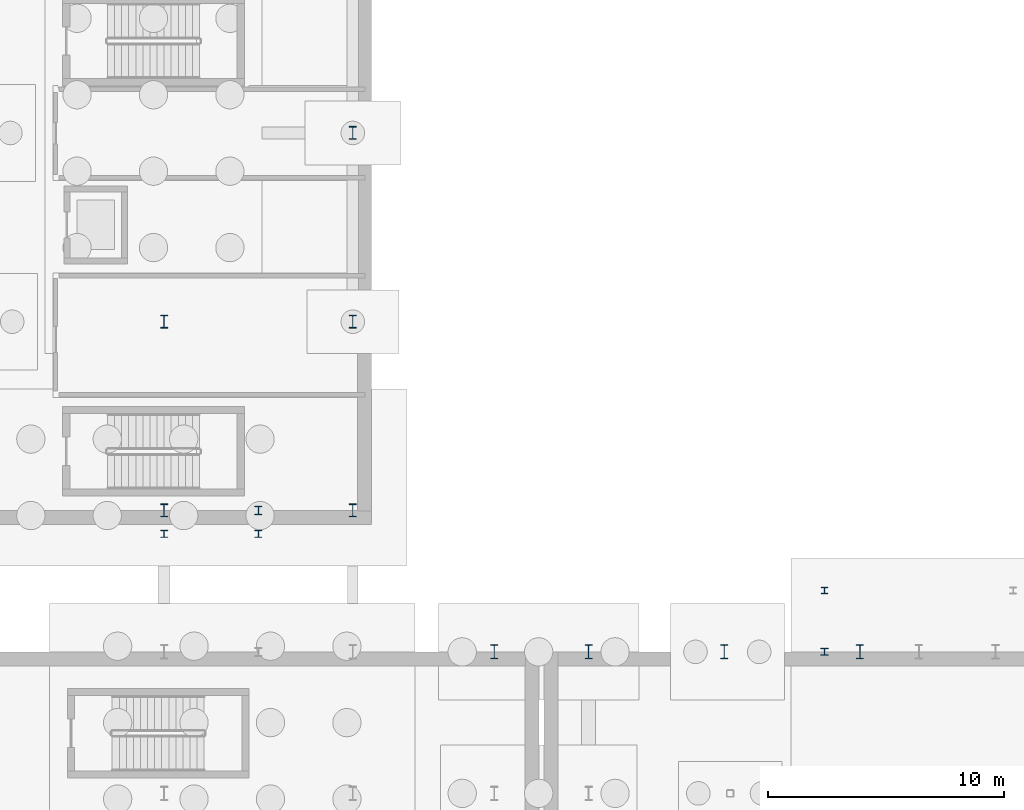
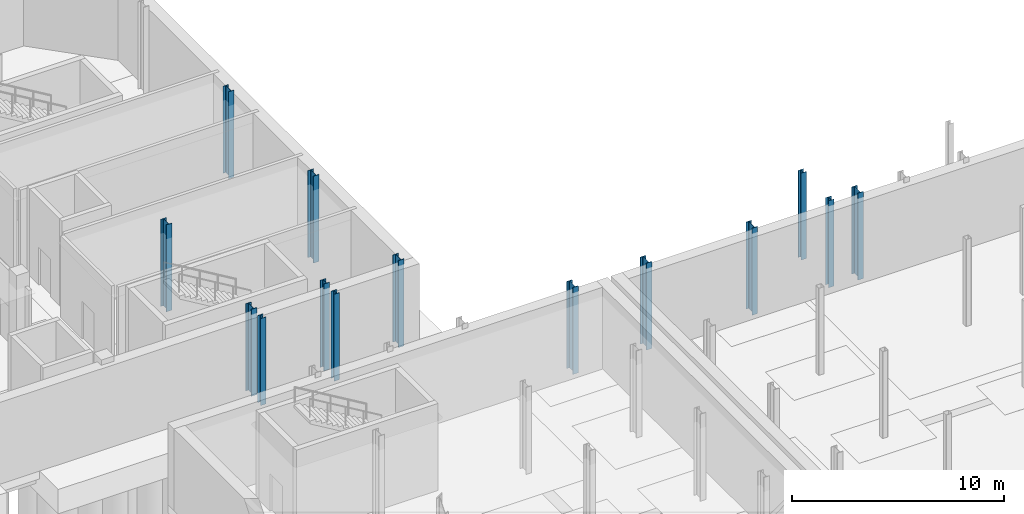
# One storey, part 9 of 47: 14 columns.
"""IFC4 building model written with IfcOpenShell, lengths in metres."""

from ifc_helpers import new_model, si_unit, direction, frame, origin, origin_2d, place, context, subcontext, project, spatial, i_section, extrude, material, material_profile, profile_set, type_object, element, save


model = new_model("IFC4")

# Units and contexts
model_context = context("Model", 3, precision=1e-05, world=origin(), true_north=direction((0.0, 1.0)))
body_context = subcontext(model_context, "Body", "Model", "MODEL_VIEW")
ifc_project = project(units=[si_unit("LENGTHUNIT", "METRE"), si_unit("AREAUNIT", "SQUARE_METRE"), si_unit("VOLUMEUNIT", "CUBIC_METRE"), si_unit("PLANEANGLEUNIT", "RADIAN"), si_unit("MASSUNIT", "GRAM", prefix="KILO")], contexts=[model_context])

# Site, building, storey
site_placement = place(None, origin())
site = spatial("IfcSite", under=ifc_project, at=site_placement, CompositionType="ELEMENT")
building_placement = place(site_placement, origin())
building = spatial("IfcBuilding", under=site, at=building_placement, Name="Cymarion Research Institute", CompositionType="ELEMENT")
storey_placement = place(building_placement, frame((0.0, 0.0, -5.0)))
storey = spatial("IfcBuildingStorey", under=building, at=storey_placement, Name="B1", CompositionType="ELEMENT", Elevation=-5.0)

# Columns
ifc_material = material(Name="Steel S355", Category="steel")
ifc_material_profile_1 = material_profile(ifc_material, i_section(OverallWidth=0.300048828125, OverallDepth=0.60009765625, WebThickness=0.015380859375, FlangeThickness=0.030029296875, FilletRadius=0.027099609375, at=origin_2d()), Name="HEB 600")
ifc_profile_set_1 = profile_set([ifc_material_profile_1], Name="Steel S355")
column_type_1 = type_object("IfcColumnType", Name="STRUCTURAL COLUMN C02 HEB 600", PredefinedType="COLUMN", material=ifc_profile_set_1)
for number, where, z_axis, x_axis, name in (
    (1, (52.60009765625, 41.5, 0.0), (0.0, 0.0, 1.0), (1.0, 0.0, 0.0), "B1 V3 column C02 #115"),
    (2, (56.60009765625, 41.5, 0.0), (0.0, 0.0, 1.0), (1.0, 0.0, 0.0), "B1 V2 column C02 #122"),
    (3, (62.35009765625, 41.5, 0.0), (0.0, 0.0, 1.0), (1.0, 0.0, 0.0), "B1 V2 column C02 #124"),
    (4, (68.10009765625, 41.5, 0.0), (0.0, 0.0, 1.0), (1.0, 0.0, 0.0), "B1 V2 column C02 #134"),
):
    element("IfcColumn", number, at=place(storey_placement, frame(where, z_axis=z_axis, x_axis=x_axis)), inside=storey, type_object=column_type_1, Name=name, PredefinedType="COLUMN", context=body_context, shape_type="SweptSolid", body=[
        extrude(i_section(OverallWidth=0.300048828125, OverallDepth=0.60009765625, WebThickness=0.015380859375, FlangeThickness=0.030029296875, FilletRadius=0.027099609375, at=origin_2d()), origin(), (0.0, 0.0, 1.0), 5.0),
    ])
ifc_material_profile_2 = material_profile(ifc_material, i_section(OverallWidth=0.300048828125, OverallDepth=0.550048828125, WebThickness=0.014892578125, FlangeThickness=0.029052734375, FilletRadius=0.027099609375, at=origin_2d()), Name="HEB 550")
ifc_profile_set_2 = profile_set([ifc_material_profile_2], Name="Steel S355")
column_type_2 = type_object("IfcColumnType", Name="STRUCTURAL COLUMN C03 HEB 550", PredefinedType="COLUMN", material=ifc_profile_set_2)
for number, where, z_axis, x_axis, name in (
    (5, (38.60009765625, 47.5, 0.0), (0.0, 0.0, 1.0), (1.0, 0.0, 0.0), "B1 V4 column C03 #79"),
    (6, (38.60009765625, 55.5, 0.0), (0.0, 0.0, 1.0), (1.0, 0.0, 0.0), "B1 V4 column C03 #80"),
    (7, (46.60009765625, 47.5, 0.0), (0.0, 0.0, 1.0), (1.0, 0.0, 0.0), "B1 V4 column C03 #100"),
    (8, (46.60009765625, 55.5, 0.0), (0.0, 0.0, 1.0), (1.0, 0.0, 0.0), "B1 V4 column C03 #101"),
    (9, (46.60009765625, 63.5, 0.0), (0.0, 0.0, 1.0), (1.0, 0.0, 0.0), "B1 V4 column C03 #102"),
):
    element("IfcColumn", number, at=place(storey_placement, frame(where, z_axis=z_axis, x_axis=x_axis)), inside=storey, type_object=column_type_2, Name=name, PredefinedType="COLUMN", context=body_context, shape_type="SweptSolid", body=[
        extrude(i_section(OverallWidth=0.300048828125, OverallDepth=0.550048828125, WebThickness=0.014892578125, FlangeThickness=0.029052734375, FilletRadius=0.027099609375, at=origin_2d()), origin(), (0.0, 0.0, 1.0), 5.0),
    ])
ifc_material_profile_3 = material_profile(ifc_material, i_section(OverallWidth=0.300048828125, OverallDepth=0.360107421875, WebThickness=0.012451171875, FlangeThickness=0.0224609375, FilletRadius=0.027099609375, at=origin_2d()), Name="HEB 360")
ifc_profile_set_3 = profile_set([ifc_material_profile_3], Name="Steel S355")
column_type_3 = type_object("IfcColumnType", Name="STRUCTURAL COLUMN C07 HEB 360", PredefinedType="COLUMN", material=ifc_profile_set_3)
column_1_placement = place(storey_placement, frame((42.60009765625, 47.5, 0.0), z_axis=(0.0, 0.0, 1.0), x_axis=(1.0, 0.0, 0.0)))
element("IfcColumn", 10, at=column_1_placement, inside=storey, type_object=column_type_3, Name="B1 V4 column C07 #92", PredefinedType="COLUMN", context=body_context, shape_type="SweptSolid", body=[
    extrude(i_section(OverallWidth=0.300048828125, OverallDepth=0.360107421875, WebThickness=0.012451171875, FlangeThickness=0.0224609375, FilletRadius=0.027099609375, at=origin_2d()), origin(), (0.0, 0.0, 1.0), 5.0),
])
ifc_material_profile_4 = material_profile(ifc_material, i_section(OverallWidth=0.300048828125, OverallDepth=0.300048828125, WebThickness=0.010986328125, FlangeThickness=0.01904296875, FilletRadius=0.027099609375, at=origin_2d()), Name="HEB 300")
ifc_profile_set_4 = profile_set([ifc_material_profile_4], Name="Steel S355")
column_type_4 = type_object("IfcColumnType", Name="STRUCTURAL COLUMN C08 HEB 300", PredefinedType="COLUMN", material=ifc_profile_set_4)
for number, where, z_axis, x_axis, name in (
    (11, (38.60009765625, 46.5, 0.0), (0.0, 0.0, 1.0), (1.0, 0.0, 0.0), "B1 V3 column C08 #78"),
    (12, (42.60009765625, 46.5, 0.0), (0.0, 0.0, 1.0), (1.0, 0.0, 0.0), "B1 V3 column C08 #91"),
    (13, (66.60009765625, 41.5, 0.0), (0.0, 0.0, 1.0), (1.0, 0.0, 0.0), "B1 V2 column C08 #131"),
):
    element("IfcColumn", number, at=place(storey_placement, frame(where, z_axis=z_axis, x_axis=x_axis)), inside=storey, type_object=column_type_4, Name=name, PredefinedType="COLUMN", context=body_context, shape_type="SweptSolid", body=[
        extrude(i_section(OverallWidth=0.300048828125, OverallDepth=0.300048828125, WebThickness=0.010986328125, FlangeThickness=0.01904296875, FilletRadius=0.027099609375, at=origin_2d()), origin(), (0.0, 0.0, 1.0), 5.0),
    ])
ifc_material_profile_5 = material_profile(ifc_material, i_section(OverallWidth=0.280029296875, OverallDepth=0.280029296875, WebThickness=0.010498046875, FlangeThickness=0.01806640625, FilletRadius=0.02392578125, at=origin_2d()), Name="HEB 280")
ifc_profile_set_5 = profile_set([ifc_material_profile_5], Name="Steel S355")
column_type_5 = type_object("IfcColumnType", Name="STRUCTURAL COLUMN C09 HEB 280", PredefinedType="COLUMN", material=ifc_profile_set_5)
column_2_placement = place(storey_placement, frame((66.60009765625, 44.10009765625, 0.0), z_axis=(0.0, 0.0, 1.0), x_axis=(1.0, 0.0, 0.0)))
element("IfcColumn", 14, at=column_2_placement, inside=storey, type_object=column_type_5, Name="B1 V2 column C09 #132", PredefinedType="COLUMN", context=body_context, shape_type="SweptSolid", body=[
    extrude(i_section(OverallWidth=0.280029296875, OverallDepth=0.280029296875, WebThickness=0.010498046875, FlangeThickness=0.01806640625, FilletRadius=0.02392578125, at=origin_2d()), origin(), (0.0, 0.0, 1.0), 5.0),
])

save(model, "model.ifc")
